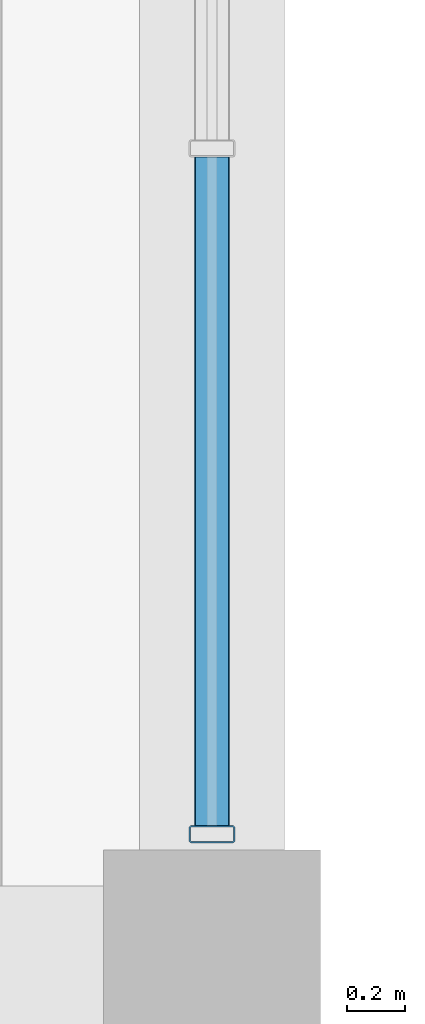
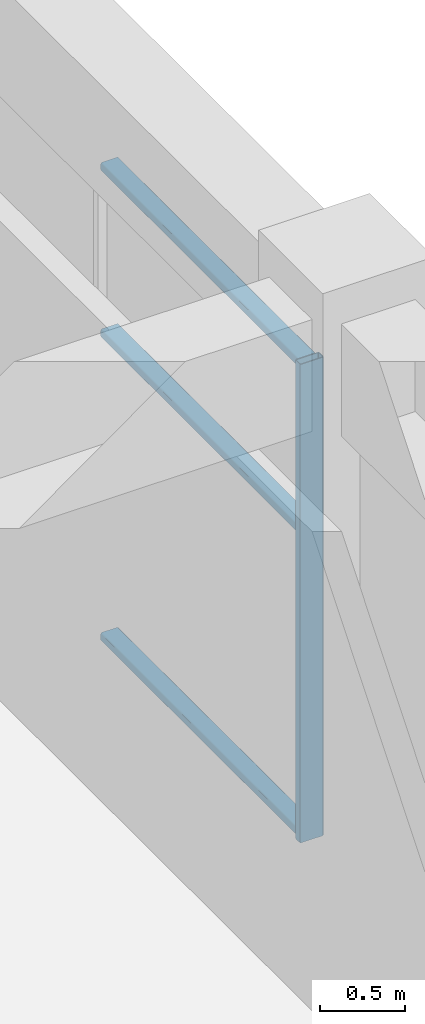
# One storey, part 12 of 53: 4 members, 1 element without a shape of its own.
"""IFC4 building model written with IfcOpenShell, lengths in metres."""

from ifc_helpers import new_model, si_unit, direction, frame, origin, origin_2d, place, context, subcontext, project, spatial, hollow_rectangle, extrude, material, layer, layer_set, material_profile, profile_set, type_object, element, aggregate, save


model = new_model("IFC4")

# Units and contexts
model_context = context("Model", 3, precision=1e-05, world=origin(), true_north=direction((0.0, 1.0)))
body_context = subcontext(model_context, "Body", "Model", "MODEL_VIEW")
ifc_project = project(units=[si_unit("LENGTHUNIT", "METRE"), si_unit("AREAUNIT", "SQUARE_METRE"), si_unit("VOLUMEUNIT", "CUBIC_METRE"), si_unit("PLANEANGLEUNIT", "RADIAN"), si_unit("MASSUNIT", "GRAM", prefix="KILO")], contexts=[model_context])

# Site, building, storey
site_placement = place(None, origin())
site = spatial("IfcSite", under=ifc_project, at=site_placement, CompositionType="ELEMENT")
building_placement = place(site_placement, origin())
building = spatial("IfcBuilding", under=site, at=building_placement, Name="Kelanora Arch Commons", CompositionType="ELEMENT")
storey_placement = place(building_placement, frame((0.0, 0.0, 9.0)))
storey = spatial("IfcBuildingStorey", under=building, at=storey_placement, Name="L02", CompositionType="ELEMENT", Elevation=9.0)

# Curtain wall, members
ifc_material_1 = material(Name="Terracotta ceramic-fritted low-E glass and aluminium", Category="masonry")
ifc_layer = layer(ifc_material_1, 0.16796875)
ifc_layer_set = layer_set([ifc_layer], Name="Terracotta ceramic-fritted low-E glass and aluminium")
curtain_wall_type = type_object("IfcCurtainWallType", Name="CW-SYS-07", PredefinedType="NOTDEFINED", material=ifc_layer_set)
curtain_wall_placement = place(storey_placement, origin())
curtain_wall = element("IfcCurtainWall", 1, at=curtain_wall_placement, inside=storey, type_object=curtain_wall_type, Name="Market Hall Arcade Curtain Wall L02-27", PredefinedType="NOTDEFINED")
ifc_material_2 = material(Name="Powder-coated aluminium terracotta", Category="masonry")
ifc_material_profile_1 = material_profile(ifc_material_2, hollow_rectangle(XDim=0.159912109375, YDim=0.06005859375, WallThickness=0.0048828125, InnerFilletRadius=0.0048828125, OuterFilletRadius=0.010009765625, at=origin_2d()), Name="CWM160x60")
ifc_profile_set_1 = profile_set([ifc_material_profile_1], Name="Powder-coated aluminium terracotta")
member_type_1 = type_object("IfcMemberType", Name="CWM-STD", PredefinedType="MULLION", material=ifc_profile_set_1)
member_1_placement = place(storey_placement, frame((36.0, 58.429931640625, 0.0), z_axis=(0.0, 0.0, 1.0), x_axis=(-1.0, 0.0, 0.0)))
member_1 = element("IfcMember", 2, at=member_1_placement, type_object=member_type_1, Name="CW-07 mullion 1", PredefinedType="MULLION", context=body_context, shape_type="SweptSolid", body=[
    extrude(hollow_rectangle(XDim=0.159912109375, YDim=0.06005859375, WallThickness=0.0048828125, InnerFilletRadius=0.0048828125, OuterFilletRadius=0.010009765625, at=origin_2d()), origin(), (0.0, 0.0, 1.0), 3.419921875),
])
ifc_material_profile_2 = material_profile(ifc_material_2, hollow_rectangle(XDim=0.1201171875, YDim=0.06005859375, WallThickness=0.0048828125, InnerFilletRadius=0.0048828125, OuterFilletRadius=0.010009765625, at=origin_2d()), Name="CWT120x60")
ifc_profile_set_2 = profile_set([ifc_material_profile_2], Name="Powder-coated aluminium terracotta")
member_type_2 = type_object("IfcMemberType", Name="CWT-STD", PredefinedType="USERDEFINED", material=ifc_profile_set_2)
member_2_placement = place(storey_placement, frame((36.0, 58.4599609375, 0.030029296875), z_axis=(0.0, 1.0, 0.0), x_axis=(-1.0, 0.0, 0.0)))
member_2 = element("IfcMember", 3, at=member_2_placement, type_object=member_type_2, Name="CW-07 transom 1.1", ObjectType="TRANSOM", PredefinedType="USERDEFINED", context=body_context, shape_type="SweptSolid", body=[
    extrude(hollow_rectangle(XDim=0.1201171875, YDim=0.06005859375, WallThickness=0.0048828125, InnerFilletRadius=0.0048828125, OuterFilletRadius=0.010009765625, at=origin_2d()), origin(), (0.0, 0.0, 1.0), 2.31005859375),
])
member_3_placement = place(storey_placement, frame((36.0, 58.4599609375, 2.199951171875), z_axis=(0.0, 1.0, 0.0), x_axis=(-1.0, 0.0, 0.0)))
member_3 = element("IfcMember", 4, at=member_3_placement, type_object=member_type_2, Name="CW-07 transom 1.2", ObjectType="TRANSOM", PredefinedType="USERDEFINED", context=body_context, shape_type="SweptSolid", body=[
    extrude(hollow_rectangle(XDim=0.1201171875, YDim=0.06005859375, WallThickness=0.0048828125, InnerFilletRadius=0.0048828125, OuterFilletRadius=0.010009765625, at=origin_2d()), origin(), (0.0, 0.0, 1.0), 2.31005859375),
])
member_4_placement = place(storey_placement, frame((36.0, 58.4599609375, 3.389892578125), z_axis=(0.0, 1.0, 0.0), x_axis=(-1.0, 0.0, 0.0)))
member_4 = element("IfcMember", 5, at=member_4_placement, type_object=member_type_2, Name="CW-07 transom 1.3", ObjectType="TRANSOM", PredefinedType="USERDEFINED", context=body_context, shape_type="SweptSolid", body=[
    extrude(hollow_rectangle(XDim=0.1201171875, YDim=0.06005859375, WallThickness=0.0048828125, InnerFilletRadius=0.0048828125, OuterFilletRadius=0.010009765625, at=origin_2d()), origin(), (0.0, 0.0, 1.0), 2.31005859375),
])
aggregate(curtain_wall, [member_1, member_2, member_3, member_4])

save(model, "model.ifc")
